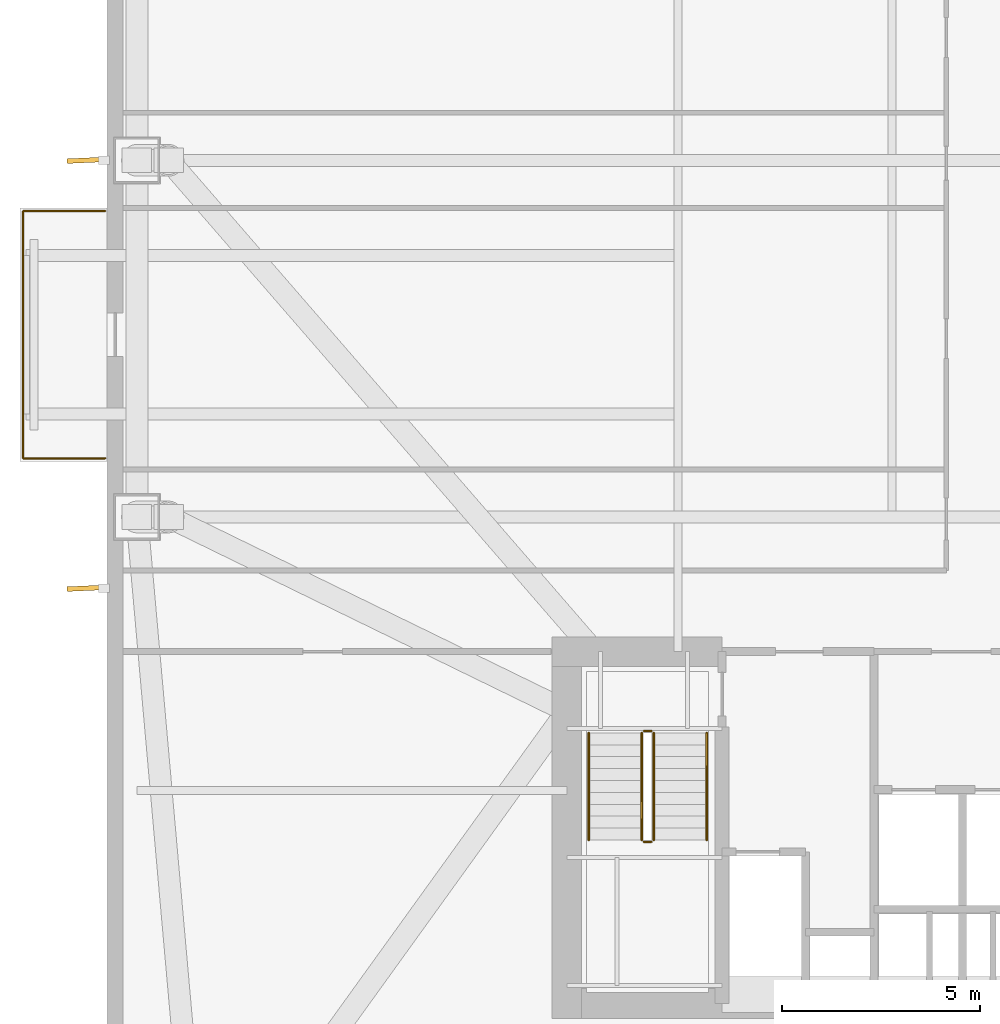
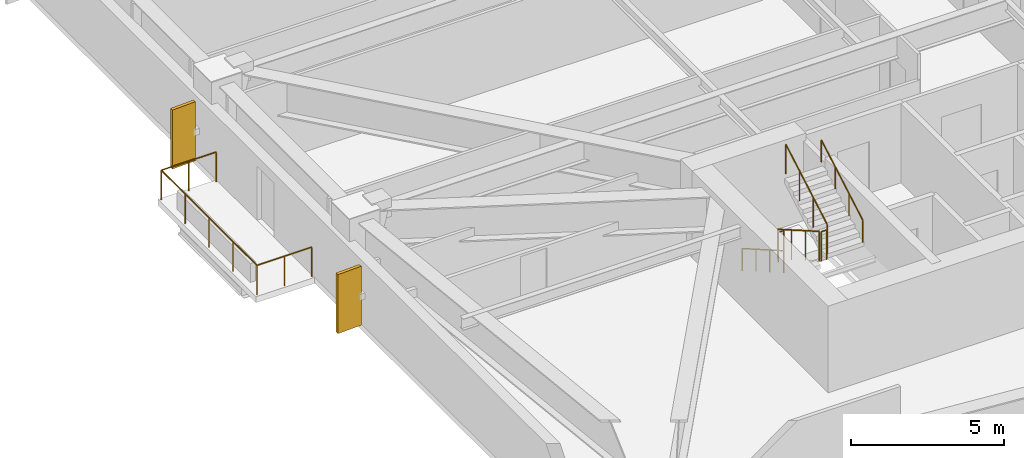
# One storey, part 15 of 19: 7 railings, 2 shading devices.
"""IFC4 building model written with IfcOpenShell, lengths in metres."""

from ifc_helpers import new_model, si_unit, direction, frame, origin, origin_2d, place, context, subcontext, project, spatial, rectangle, circle, extrude, material, layer, layer_set, type_object, element, save


model = new_model("IFC4")

# Units and contexts
model_context = context("Model", 3, precision=1e-05, world=origin(), true_north=direction((0.0, 1.0)))
body_context = subcontext(model_context, "Body", "Model", "MODEL_VIEW")
ifc_project = project(units=[si_unit("LENGTHUNIT", "METRE"), si_unit("AREAUNIT", "SQUARE_METRE"), si_unit("VOLUMEUNIT", "CUBIC_METRE"), si_unit("PLANEANGLEUNIT", "RADIAN"), si_unit("MASSUNIT", "GRAM", prefix="KILO")], contexts=[model_context])

# Site, building, storey
site_placement = place(None, origin())
site = spatial("IfcSite", under=ifc_project, at=site_placement, CompositionType="ELEMENT")
building_placement = place(site_placement, origin())
building = spatial("IfcBuilding", under=site, at=building_placement, Name="Qiaolan Cultural Towers", CompositionType="ELEMENT")
storey_placement = place(building_placement, frame((0.0, 0.0, 88.550048828125)))
storey = spatial("IfcBuildingStorey", under=building, at=storey_placement, Name="L22", CompositionType="ELEMENT", Elevation=88.550048828125)

# Railings
ifc_material_1 = material(Name="Laminated SentryGlas & Stainless Steel S31608 Balustrade", Category="steel")
railing_type_1 = type_object("IfcRailingType", Name="GRD-TERR-1200", PredefinedType="BALUSTRADE", material=ifc_material_1)
railing_1_placement = place(storey_placement, frame((10.14990234375, 26.47998046875, 0.0)))
element("IfcRailing", 1, at=railing_1_placement, inside=storey, type_object=railing_type_1, Name="L22 T1 Tree Balcony Guardrail W", PredefinedType="BALUSTRADE", context=body_context, shape_type="SweptSolid", body=[
    extrude(circle(Radius=0.02392578125, at=origin_2d()), frame((0.0, 0.0, 1.17578125), z_axis=(-1.0, 0.0, 0.0), x_axis=(0.0, -1.0, 0.0)), (0.0, 0.0, 1.0), 2.06982421875),
    extrude(circle(Radius=0.02392578125, at=origin_2d()), frame((-2.06982421875, 0.0, 1.17578125), z_axis=(0.0, 1.0, 0.0), x_axis=(-1.0, 0.0, 0.0)), (0.0, 0.0, 1.0), 6.239990234375),
    extrude(circle(Radius=0.02392578125, at=origin_2d()), frame((-2.06982421875, 6.239990234375, 1.17578125), z_axis=(1.0, 0.0, 0.0), x_axis=(0.0, 1.0, 0.0)), (0.0, 0.0, 1.0), 2.06982421875),
    extrude(circle(Radius=0.02099609375, at=origin_2d()), origin(), (0.0, 0.0, 1.0), 1.15185546875),
    extrude(circle(Radius=0.02099609375, at=origin_2d()), frame((-1.034912109375, 0.0, 0.0)), (0.0, 0.0, 1.0), 1.15185546875),
    extrude(circle(Radius=0.02099609375, at=origin_2d()), frame((-2.06982421875, 0.0, 0.0)), (0.0, 0.0, 1.0), 1.15185546875),
    extrude(circle(Radius=0.02099609375, at=origin_2d()), frame((-2.06982421875, 1.56005859375, 0.0)), (0.0, 0.0, 1.0), 1.15185546875),
    extrude(circle(Radius=0.02099609375, at=origin_2d()), frame((-2.06982421875, 3.1201171875, 0.0)), (0.0, 0.0, 1.0), 1.15185546875),
    extrude(circle(Radius=0.02099609375, at=origin_2d()), frame((-2.06982421875, 4.679931640625, 0.0)), (0.0, 0.0, 1.0), 1.15185546875),
    extrude(circle(Radius=0.02099609375, at=origin_2d()), frame((-2.06982421875, 6.239990234375, 0.0)), (0.0, 0.0, 1.0), 1.15185546875),
    extrude(circle(Radius=0.02099609375, at=origin_2d()), frame((-1.034912109375, 6.239990234375, 0.0)), (0.0, 0.0, 1.0), 1.15185546875),
    extrude(circle(Radius=0.02099609375, at=origin_2d()), frame((0.0, 6.239990234375, 0.0)), (0.0, 0.0, 1.0), 1.15185546875),
])
ifc_material_2 = material(Name="Galvanized Painted Steel Stair Guardrail", Category="steel")
railing_type_2 = type_object("IfcRailingType", Name="RL-STAIR-GRD", PredefinedType="GUARDRAIL", material=ifc_material_2)
railing_2_placement = place(storey_placement, frame((23.68994140625, 19.550048828125, 0.17236328125)))
element("IfcRailing", 2, at=railing_2_placement, inside=storey, type_object=railing_type_2, Name="L22 ST-W1 stair guard 1", PredefinedType="GUARDRAIL", context=body_context, shape_type="SweptSolid", body=[
    extrude(circle(Radius=0.02392578125, at=origin_2d()), frame((0.0, 0.0, 1.17578125), z_axis=(0.0, -0.866903762492, 0.498475542607), x_axis=(1.0, 0.0, 0.0)), (0.0, 0.0, 1.0), 3.114501953125),
    extrude(circle(Radius=0.02099609375, at=origin_2d()), origin(), (0.0, 0.0, 1.0), 1.15185546875),
    extrude(circle(Radius=0.02099609375, at=origin_2d()), frame((0.0, -0.89990234375, 0.517578125)), (0.0, 0.0, 1.0), 1.15185546875),
    extrude(circle(Radius=0.02099609375, at=origin_2d()), frame((0.0, -1.800048828125, 1.034912109375)), (0.0, 0.0, 1.0), 1.15185546875),
    extrude(circle(Radius=0.02099609375, at=origin_2d()), frame((0.0, -2.699951171875, 1.552490234375)), (0.0, 0.0, 1.0), 1.15185546875),
])
railing_3_placement = place(storey_placement, frame((23.739990234375, 16.800048828125, 1.724853515625)))
element("IfcRailing", 3, at=railing_3_placement, inside=storey, type_object=railing_type_2, Name="L22 ST-W1 stair guard 2", PredefinedType="GUARDRAIL", context=body_context, shape_type="SweptSolid", body=[
    extrude(circle(Radius=0.02392578125, at=origin_2d()), frame((0.0, 0.0, 1.17578125), z_axis=(1.0, 0.0, 0.0), x_axis=(0.0, 1.0, 0.0)), (0.0, 0.0, 1.0), 0.199951171875),
    extrude(circle(Radius=0.02099609375, at=origin_2d()), origin(), (0.0, 0.0, 1.0), 1.15185546875),
    extrude(circle(Radius=0.02099609375, at=origin_2d()), frame((0.199951171875, 0.0, 0.0)), (0.0, 0.0, 1.0), 1.15185546875),
])
railing_4_placement = place(storey_placement, frame((23.989990234375, 16.85009765625, 1.8974609375)))
element("IfcRailing", 4, at=railing_4_placement, inside=storey, type_object=railing_type_2, Name="L22 ST-W1 stair guard 3", PredefinedType="GUARDRAIL", context=body_context, shape_type="SweptSolid", body=[
    extrude(circle(Radius=0.02392578125, at=origin_2d()), frame((0.0, 0.0, 1.17578125), z_axis=(0.0, 0.866903762492, 0.498475542607), x_axis=(-1.0, 0.0, 0.0)), (0.0, 0.0, 1.0), 3.114501953125),
    extrude(circle(Radius=0.02099609375, at=origin_2d()), origin(), (0.0, 0.0, 1.0), 1.15185546875),
    extrude(circle(Radius=0.02099609375, at=origin_2d()), frame((0.0, 0.89990234375, 0.517578125)), (0.0, 0.0, 1.0), 1.15185546875),
    extrude(circle(Radius=0.02099609375, at=origin_2d()), frame((0.0, 1.800048828125, 1.034912109375)), (0.0, 0.0, 1.0), 1.15185546875),
    extrude(circle(Radius=0.02099609375, at=origin_2d()), frame((0.0, 2.699951171875, 1.552490234375)), (0.0, 0.0, 1.0), 1.15185546875),
])
railing_5_placement = place(storey_placement, frame((23.739990234375, 19.60009765625, 0.0)))
element("IfcRailing", 5, at=railing_5_placement, inside=storey, type_object=railing_type_2, Name="L22 ST-W1 stair guard 4", PredefinedType="GUARDRAIL", context=body_context, shape_type="SweptSolid", body=[
    extrude(circle(Radius=0.02392578125, at=origin_2d()), frame((0.0, 0.0, 1.17578125), z_axis=(1.0, 0.0, 0.0), x_axis=(0.0, 1.0, 0.0)), (0.0, 0.0, 1.0), 0.199951171875),
    extrude(circle(Radius=0.02099609375, at=origin_2d()), origin(), (0.0, 0.0, 1.0), 1.15185546875),
    extrude(circle(Radius=0.02099609375, at=origin_2d()), frame((0.199951171875, 0.0, 0.0)), (0.0, 0.0, 1.0), 1.15185546875),
])
ifc_material_3 = material(Name="Stainless Steel S30408 Tubular Handrail", Category="steel")
railing_type_3 = type_object("IfcRailingType", Name="RL-STAIR-HR", PredefinedType="HANDRAIL", material=ifc_material_3)
railing_6_placement = place(storey_placement, frame((22.35009765625, 19.550048828125, 0.17236328125)))
element("IfcRailing", 6, at=railing_6_placement, inside=storey, type_object=railing_type_3, Name="L22 ST-W1 stair handrail 1", PredefinedType="HANDRAIL", context=body_context, shape_type="SweptSolid", body=[
    extrude(circle(Radius=0.02392578125, at=origin_2d()), frame((0.0, 0.0, 0.8759765625), z_axis=(0.0, -0.866903762492, 0.498475542607), x_axis=(1.0, 0.0, 0.0)), (0.0, 0.0, 1.0), 3.114501953125),
    extrude(circle(Radius=0.02099609375, at=origin_2d()), origin(), (0.0, 0.0, 1.0), 0.851806640625),
    extrude(circle(Radius=0.02099609375, at=origin_2d()), frame((0.0, -0.89990234375, 0.517578125)), (0.0, 0.0, 1.0), 0.851806640625),
    extrude(circle(Radius=0.02099609375, at=origin_2d()), frame((0.0, -1.800048828125, 1.034912109375)), (0.0, 0.0, 1.0), 0.851806640625),
    extrude(circle(Radius=0.02099609375, at=origin_2d()), frame((0.0, -2.699951171875, 1.552490234375)), (0.0, 0.0, 1.0), 0.851806640625),
])
railing_7_placement = place(storey_placement, frame((25.330078125, 16.85009765625, 1.8974609375)))
element("IfcRailing", 7, at=railing_7_placement, inside=storey, type_object=railing_type_3, Name="L22 ST-W1 stair handrail 2", PredefinedType="HANDRAIL", context=body_context, shape_type="SweptSolid", body=[
    extrude(circle(Radius=0.02392578125, at=origin_2d()), frame((0.0, 0.0, 0.8759765625), z_axis=(0.0, 0.866903762492, 0.498475542607), x_axis=(-1.0, 0.0, 0.0)), (0.0, 0.0, 1.0), 3.114501953125),
    extrude(circle(Radius=0.02099609375, at=origin_2d()), origin(), (0.0, 0.0, 1.0), 0.851806640625),
    extrude(circle(Radius=0.02099609375, at=origin_2d()), frame((0.0, 0.89990234375, 0.517578125)), (0.0, 0.0, 1.0), 0.851806640625),
    extrude(circle(Radius=0.02099609375, at=origin_2d()), frame((0.0, 1.800048828125, 1.034912109375)), (0.0, 0.0, 1.0), 0.851806640625),
    extrude(circle(Radius=0.02099609375, at=origin_2d()), frame((0.0, 2.699951171875, 1.552490234375)), (0.0, 0.0, 1.0), 0.851806640625),
])

# Shading devices
ifc_material_4 = material(Name="Dark Basalt Honed Precast Terracotta Fin", Category="masonry")
ifc_layer = layer(ifc_material_4, 0.1201171875)
ifc_layer_set = layer_set([ifc_layer], Name="Dark Basalt Honed Precast Terracotta Fin")
shading_device_type = type_object("IfcShadingDeviceType", Name="SHD-FIN-DARK", PredefinedType="USERDEFINED", material=ifc_layer_set)
for number, where, z_axis, x_axis, name in (
    (8, (9.639892578125, 23.199951171875, 0.099853515625), (0.0, 0.0, 1.0), (0.998966827039, 0.045445335018, 0.0), "L22 T1 Expressive Precast Vertical Fin W1"),
    (9, (9.639892578125, 34.0, 0.099853515625), (0.0, 0.0, 1.0), (0.998966827039, 0.045445335018, 0.0), "L22 T1 Expressive Precast Vertical Fin W2"),
):
    element("IfcShadingDevice", number, at=place(storey_placement, frame(where, z_axis=z_axis, x_axis=x_axis)), inside=storey, type_object=shading_device_type, Name=name, ObjectType="FIN", PredefinedType="USERDEFINED", context=body_context, shape_type="SweptSolid", body=[
        extrude(rectangle(XDim=0.89990234375, YDim=0.1201171875, at=origin_2d()), origin(), (0.0, 0.0, 1.0), 2.35009765625),
    ])

save(model, "model.ifc")
